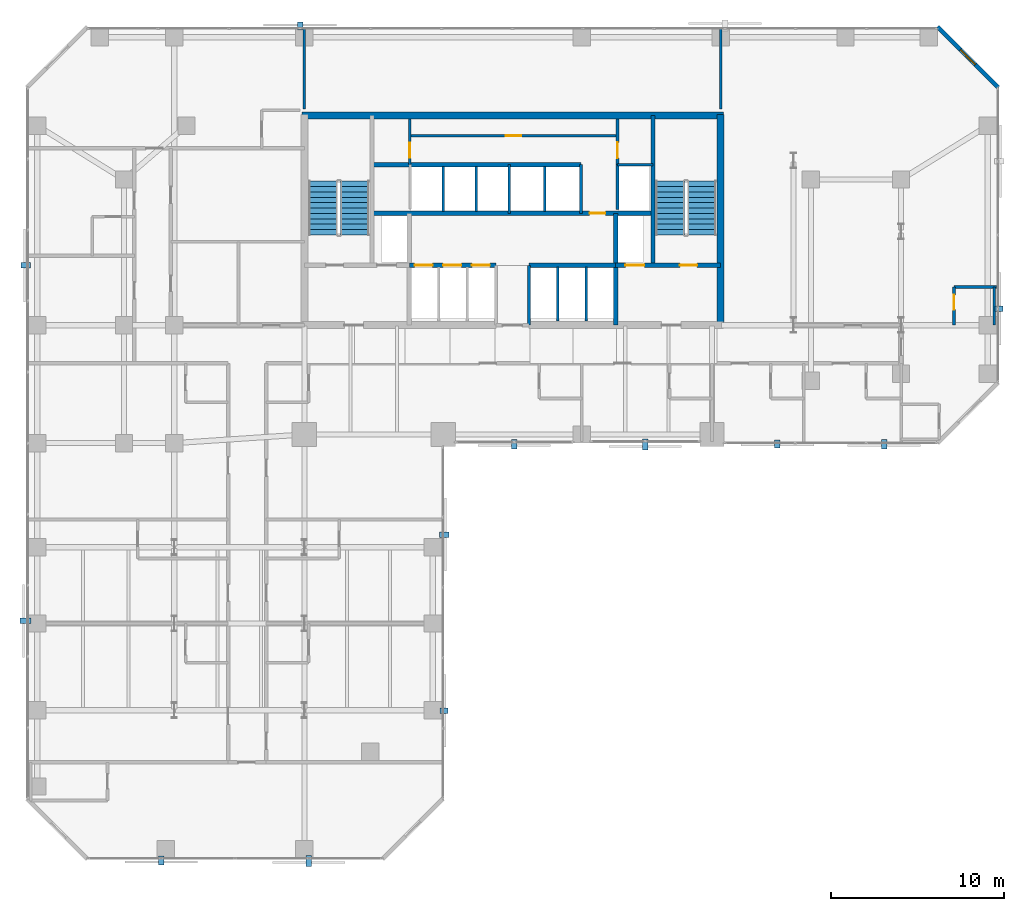
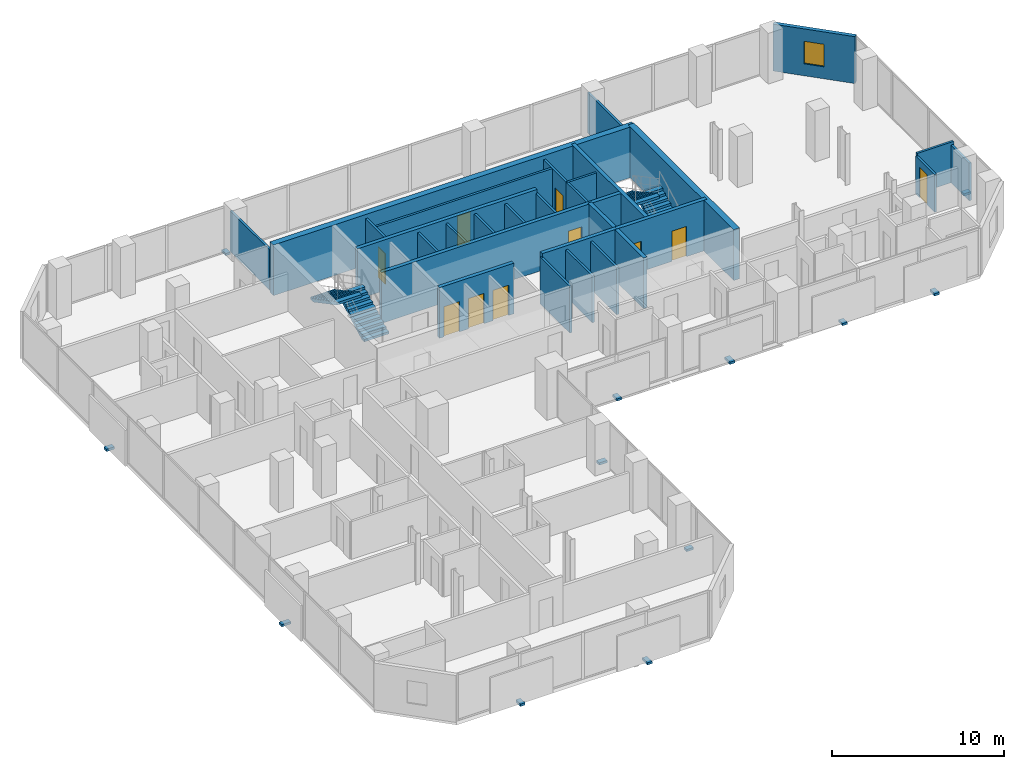
# One storey, part 29 of 32: 28 walls, 12 discrete accessories, 10 doors, 4 stair flights, 1 window, 11 openings, 2 elements without a shape of their own.
"""IFC4 building model written with IfcOpenShell, lengths in metres."""

from ifc_helpers import new_model, si_unit, direction, frame, frame_2d, origin, origin_2d, place, context, subcontext, project, spatial, polyline, rectangle, outline, extrude, material, layer, layer_set, type_object, element, fill, aggregate, save


model = new_model("IFC4")

# Units and contexts
model_context = context("Model", 3, precision=1e-05, world=origin(), true_north=direction((0.0, 1.0)))
body_context = subcontext(model_context, "Body", "Model", "MODEL_VIEW")
ifc_project = project(units=[si_unit("LENGTHUNIT", "METRE"), si_unit("AREAUNIT", "SQUARE_METRE"), si_unit("VOLUMEUNIT", "CUBIC_METRE"), si_unit("PLANEANGLEUNIT", "RADIAN"), si_unit("MASSUNIT", "GRAM", prefix="KILO")], contexts=[model_context])

# Site, building, storey
site_placement = place(None, origin())
site = spatial("IfcSite", under=ifc_project, at=site_placement, CompositionType="ELEMENT")
building_placement = place(site_placement, origin())
building = spatial("IfcBuilding", under=site, at=building_placement, Name="Catumbela Crestline Tower", CompositionType="ELEMENT")
storey_placement = place(building_placement, frame((0.0, 0.0, 33.0)))
storey = spatial("IfcBuildingStorey", under=building, at=storey_placement, Name="L07", CompositionType="ELEMENT", Elevation=33.0)

# Walls
ifc_material_1 = material(Name="Concrete C50/60", Category="concrete")
ifc_layer_1 = layer(ifc_material_1, 0.25, Name="Concrete C50/60")
ifc_layer_set_1 = layer_set([ifc_layer_1], Name="Concrete C50/60")
wall_type_1 = type_object("IfcWallType", Name="CW-250D", PredefinedType="SHEAR", material=ifc_layer_set_1)
wall_1_placement = place(storey_placement, frame((36.1, 34.25, 0.0), z_axis=(0.0, 0.0, 1.0), x_axis=(0.0, 1.0, 0.0)))
element("IfcWall", 1, at=wall_1_placement, inside=storey, type_object=wall_type_1, Name="L07 Structural Core Shear Wall EWEB", PredefinedType="SHEAR", context=body_context, shape_type="SweptSolid", body=[
    extrude(rectangle(XDim=8.65, YDim=0.25, at=frame_2d((4.325, 0.0))), origin(), (0.0, 0.0, 1.0), 3.6),
])
wall_2_placement = place(storey_placement, frame((33.95, 30.8, 0.0), z_axis=(0.0, 0.0, 1.0), x_axis=(0.0, 1.0, 0.0)))
element("IfcWall", 2, at=wall_2_placement, inside=storey, type_object=wall_type_1, Name="L07 Structural Core Shear Wall FFE", PredefinedType="SHEAR", context=body_context, shape_type="SweptSolid", body=[
    extrude(rectangle(XDim=6.45, YDim=0.25, at=frame_2d((3.225, 0.0))), origin(), (0.0, 0.0, 1.0), 3.6),
])

# Wall, openings, doors
wall_3_placement = place(storey_placement, frame((33.95, 34.25, 0.0), z_axis=(0.0, 0.0, 1.0), x_axis=(1.0, 0.0, 0.0)))
wall_3 = element("IfcWall", 3, at=wall_3_placement, inside=storey, type_object=wall_type_1, Name="L07 Structural Core Shear Wall ST2S", PredefinedType="SHEAR", context=body_context, shape_type="SweptSolid", body=[
    extrude(rectangle(XDim=6.05, YDim=0.25, at=frame_2d((3.025, 0.0))), origin(), (0.0, 0.0, 1.0), 3.6),
])
opening_1_placement = place(wall_3_placement, frame((3.7, 0.0, 0.0)))
opening_1 = element("IfcOpeningElement", 4, at=opening_1_placement, cuts=wall_3, Name="Opening DF9-100", PredefinedType="OPENING", context=body_context, shape_type="SweptSolid", body=[
    extrude(rectangle(XDim=1.0, YDim=2.15, at=frame_2d((0.5, 1.075))), frame((0.0, 0.135, 0.0), z_axis=(0.0, -1.0, 0.0), x_axis=(1.0, 0.0, 0.0)), (0.0, 0.0, 1.0), 0.27),
])
opening_2_placement = place(wall_3_placement, frame((0.55, 0.0, 0.0)))
opening_2 = element("IfcOpeningElement", 5, at=opening_2_placement, cuts=wall_3, Name="Opening LD-110", PredefinedType="OPENING", context=body_context, shape_type="SweptSolid", body=[
    extrude(rectangle(XDim=1.1, YDim=2.15, at=frame_2d((0.55, 1.075))), frame((0.0, 0.135, 0.0), z_axis=(0.0, -1.0, 0.0), x_axis=(1.0, 0.0, 0.0)), (0.0, 0.0, 1.0), 0.27),
])
ifc_material_2 = material(Name="Stainless steel EN 1.4401", Category="steel")
door_type_1 = type_object("IfcDoorType", Name="DF9-100", OperationType="NOTDEFINED", PredefinedType="DOOR", material=ifc_material_2)
door_1_placement = place(opening_1_placement, origin())
door_1 = element("IfcDoor", 6, at=door_1_placement, inside=storey, type_object=door_type_1, Name="L07 Interior Door DR-L07-ST02", OperationType="SINGLE_SWING_RIGHT", OverallHeight=2.15, OverallWidth=1.0, PredefinedType="DOOR", context=body_context, shape_type="SweptSolid", body=[
    extrude(rectangle(XDim=1.0, YDim=2.15, at=frame_2d((0.5, 1.075))), frame((0.0, 0.025, 0.0), z_axis=(0.0, -1.0, 0.0), x_axis=(1.0, 0.0, 0.0)), (0.0, 0.0, 1.0), 0.05),
])
fill(opening_1, door_1)
door_type_2 = type_object("IfcDoorType", Name="LD-110", OperationType="NOTDEFINED", PredefinedType="DOOR", material=ifc_material_2)
door_2_placement = place(opening_2_placement, origin())
door_2 = element("IfcDoor", 7, at=door_2_placement, inside=storey, type_object=door_type_2, Name="L07 Lift Landing Sliding Door FL-02", OperationType="DOUBLE_DOOR_SLIDING", OverallHeight=2.15, OverallWidth=1.1, PredefinedType="DOOR", context=body_context, shape_type="SweptSolid", body=[
    extrude(rectangle(XDim=1.1, YDim=2.15, at=frame_2d((0.55, 1.075))), frame((0.0, 0.025, 0.0), z_axis=(0.0, -1.0, 0.0), x_axis=(1.0, 0.0, 0.0)), (0.0, 0.0, 1.0), 0.05),
])
fill(opening_2, door_2)

wall_4_placement = place(storey_placement, frame((22.05, 34.25, 0.0), z_axis=(0.0, 0.0, 1.0), x_axis=(1.0, 0.0, 0.0)))
wall_4 = element("IfcWall", 8, at=wall_4_placement, inside=storey, type_object=wall_type_1, Name="L07 Structural Core Shear Wall LIFTS-W", PredefinedType="SHEAR", context=body_context, shape_type="SweptSolid", body=[
    extrude(rectangle(XDim=5.0, YDim=0.25, at=frame_2d((2.5, 0.0))), origin(), (0.0, 0.0, 1.0), 3.6),
])
opening_3_placement = place(wall_4_placement, frame((0.3, 0.0, 0.0)))
opening_3 = element("IfcOpeningElement", 9, at=opening_3_placement, cuts=wall_4, Name="Opening LD-105", PredefinedType="OPENING", context=body_context, shape_type="SweptSolid", body=[
    extrude(rectangle(XDim=1.05, YDim=2.15, at=frame_2d((0.525, 1.075))), frame((0.0, 0.135, 0.0), z_axis=(0.0, -1.0, 0.0), x_axis=(1.0, 0.0, 0.0)), (0.0, 0.0, 1.0), 0.27),
])
opening_4_placement = place(wall_4_placement, frame((1.95, 0.0, 0.0)))
opening_4 = element("IfcOpeningElement", 10, at=opening_4_placement, cuts=wall_4, Name="Opening LD-105", PredefinedType="OPENING", context=body_context, shape_type="SweptSolid", body=[
    extrude(rectangle(XDim=1.05, YDim=2.15, at=frame_2d((0.525, 1.075))), frame((0.0, 0.135, 0.0), z_axis=(0.0, -1.0, 0.0), x_axis=(1.0, 0.0, 0.0)), (0.0, 0.0, 1.0), 0.27),
])
opening_5_placement = place(wall_4_placement, frame((3.6, 0.0, 0.0)))
opening_5 = element("IfcOpeningElement", 11, at=opening_5_placement, cuts=wall_4, Name="Opening LD-105", PredefinedType="OPENING", context=body_context, shape_type="SweptSolid", body=[
    extrude(rectangle(XDim=1.05, YDim=2.15, at=frame_2d((0.525, 1.075))), frame((0.0, 0.135, 0.0), z_axis=(0.0, -1.0, 0.0), x_axis=(1.0, 0.0, 0.0)), (0.0, 0.0, 1.0), 0.27),
])
door_type_3 = type_object("IfcDoorType", Name="LD-105", OperationType="NOTDEFINED", PredefinedType="DOOR", material=ifc_material_2)
door_3_placement = place(opening_3_placement, origin())
door_3 = element("IfcDoor", 12, at=door_3_placement, inside=storey, type_object=door_type_3, Name="L07 Lift Landing Sliding Door PL-L1", OperationType="DOUBLE_DOOR_SLIDING", OverallHeight=2.15, OverallWidth=1.05, PredefinedType="DOOR", context=body_context, shape_type="SweptSolid", body=[
    extrude(rectangle(XDim=1.05, YDim=2.15, at=frame_2d((0.525, 1.075))), frame((0.0, 0.025, 0.0), z_axis=(0.0, -1.0, 0.0), x_axis=(1.0, 0.0, 0.0)), (0.0, 0.0, 1.0), 0.05),
])
fill(opening_3, door_3)
door_4_placement = place(opening_4_placement, origin())
door_4 = element("IfcDoor", 13, at=door_4_placement, inside=storey, type_object=door_type_3, Name="L07 Lift Landing Sliding Door PL-L2", OperationType="DOUBLE_DOOR_SLIDING", OverallHeight=2.15, OverallWidth=1.05, PredefinedType="DOOR", context=body_context, shape_type="SweptSolid", body=[
    extrude(rectangle(XDim=1.05, YDim=2.15, at=frame_2d((0.525, 1.075))), frame((0.0, 0.025, 0.0), z_axis=(0.0, -1.0, 0.0), x_axis=(1.0, 0.0, 0.0)), (0.0, 0.0, 1.0), 0.05),
])
fill(opening_4, door_4)
door_5_placement = place(opening_5_placement, origin())
door_5 = element("IfcDoor", 14, at=door_5_placement, inside=storey, type_object=door_type_3, Name="L07 Lift Landing Sliding Door PL-L3", OperationType="DOUBLE_DOOR_SLIDING", OverallHeight=2.15, OverallWidth=1.05, PredefinedType="DOOR", context=body_context, shape_type="SweptSolid", body=[
    extrude(rectangle(XDim=1.05, YDim=2.15, at=frame_2d((0.525, 1.075))), frame((0.0, 0.025, 0.0), z_axis=(0.0, -1.0, 0.0), x_axis=(1.0, 0.0, 0.0)), (0.0, 0.0, 1.0), 0.05),
])
fill(opening_5, door_5)

# Wall
wall_5_placement = place(storey_placement, frame((28.95, 34.25, 0.0), z_axis=(0.0, 0.0, 1.0), x_axis=(1.0, 0.0, 0.0)))
element("IfcWall", 15, at=wall_5_placement, inside=storey, type_object=wall_type_1, Name="L07 Structural Core Shear Wall LIFTS-E", PredefinedType="SHEAR", context=body_context, shape_type="SweptSolid", body=[
    extrude(rectangle(XDim=5.0, YDim=0.25, at=frame_2d((2.5, 0.0))), origin(), (0.0, 0.0, 1.0), 3.6),
])

# Wall, opening, door
wall_6_placement = place(storey_placement, frame((19.9, 37.25, 0.0), z_axis=(0.0, 0.0, 1.0), x_axis=(1.0, 0.0, 0.0)))
wall_6 = element("IfcWall", 16, at=wall_6_placement, inside=storey, type_object=wall_type_1, Name="L07 Structural Core Shear Wall LIFTN", PredefinedType="SHEAR", context=body_context, shape_type="SweptSolid", body=[
    extrude(rectangle(XDim=16.2, YDim=0.25, at=frame_2d((8.1, 0.0))), origin(), (0.0, 0.0, 1.0), 3.6),
])
opening_6_placement = place(wall_6_placement, frame((12.55, 0.0, 0.0)))
opening_6 = element("IfcOpeningElement", 17, at=opening_6_placement, cuts=wall_6, Name="Opening DF9-090", PredefinedType="OPENING", context=body_context, shape_type="SweptSolid", body=[
    extrude(rectangle(XDim=0.9, YDim=2.15, at=frame_2d((0.45, 1.075))), frame((0.0, 0.135, 0.0), z_axis=(0.0, -1.0, 0.0), x_axis=(1.0, 0.0, 0.0)), (0.0, 0.0, 1.0), 0.27),
])
door_type_4 = type_object("IfcDoorType", Name="DF9-090", OperationType="NOTDEFINED", PredefinedType="DOOR", material=ifc_material_2)
door_6_placement = place(opening_6_placement, origin())
door_6 = element("IfcDoor", 18, at=door_6_placement, inside=storey, type_object=door_type_4, Name="L07 Interior Door DR-L07-CPAS1", OperationType="SINGLE_SWING_LEFT", OverallHeight=2.15, OverallWidth=0.9, PredefinedType="DOOR", context=body_context, shape_type="SweptSolid", body=[
    extrude(rectangle(XDim=0.9, YDim=2.15, at=frame_2d((0.45, 1.075))), frame((0.0, 0.025, 0.0), z_axis=(0.0, -1.0, 0.0), x_axis=(1.0, 0.0, 0.0)), (0.0, 0.0, 1.0), 0.05),
])
fill(opening_6, door_6)

# Walls
wall_7_placement = place(storey_placement, frame((19.9, 40.05, 0.0), z_axis=(0.0, 0.0, 1.0), x_axis=(1.0, 0.0, 0.0)))
element("IfcWall", 19, at=wall_7_placement, inside=storey, type_object=wall_type_1, Name="L07 Structural Core Shear Wall COREN", PredefinedType="SHEAR", context=body_context, shape_type="SweptSolid", body=[
    extrude(rectangle(XDim=12.05, YDim=0.25, at=frame_2d((6.025, 0.0))), origin(), (0.0, 0.0, 1.0), 3.6),
])
ifc_material_3 = material(Name="Concrete C60/75", Category="concrete")
ifc_layer_2 = layer(ifc_material_3, 0.4, Name="Concrete C60/75")
ifc_layer_set_2 = layer_set([ifc_layer_2], Name="Concrete C60/75")
wall_type_2 = type_object("IfcWallType", Name="CW-400A", PredefinedType="SHEAR", material=ifc_layer_set_2)
wall_8_placement = place(storey_placement, frame((40.0, 30.65, 0.0), z_axis=(0.0, 0.0, 1.0), x_axis=(0.0, 1.0, 0.0)))
element("IfcWall", 20, at=wall_8_placement, inside=storey, type_object=wall_type_2, Name="L07 Structural Core Shear Wall E", PredefinedType="SHEAR", context=body_context, shape_type="SweptSolid", body=[
    extrude(rectangle(XDim=12.3, YDim=0.4, at=frame_2d((6.15, 0.0))), origin(), (0.0, 0.0, 1.0), 3.6),
])
wall_9_placement = place(storey_placement, frame((15.85, 42.9, 0.0), z_axis=(0.0, 0.0, 1.0), x_axis=(1.0, 0.0, 0.0)))
element("IfcWall", 21, at=wall_9_placement, inside=storey, type_object=wall_type_2, Name="L07 Structural Core Shear Wall N", PredefinedType="SHEAR", context=body_context, shape_type="SweptSolid", body=[
    extrude(rectangle(XDim=24.3, YDim=0.4, at=frame_2d((12.15, 0.0))), origin(), (0.0, 0.0, 1.0), 3.6),
])

# Wall, opening, window
ifc_material_4 = material(Name="Angolan grey-ochre granite", Category="masonry")
ifc_layer_3 = layer(ifc_material_4, 0.25, Name="Angolan grey-ochre granite")
ifc_layer_set_3 = layer_set([ifc_layer_3], Name="Angolan grey-ochre granite")
wall_type_3 = type_object("IfcWallType", Name="WE-250", PredefinedType="STANDARD", material=ifc_layer_set_3)
wall_10_placement = place(storey_placement, frame((56.0, 44.5, 0.0), z_axis=(0.0, 0.0, 1.0), x_axis=(-0.707106781187, 0.707106781187, 0.0)))
wall_10 = element("IfcWall", 22, at=wall_10_placement, inside=storey, type_object=wall_type_3, Name="L07 Granite Punched Window Wall 6-1", PredefinedType="STANDARD", context=body_context, shape_type="SweptSolid", body=[
    extrude(rectangle(XDim=4.9497, YDim=0.25, at=frame_2d((2.4748, 0.0))), origin(), (0.0, 0.0, 1.0), 3.33),
])
opening_7_placement = place(wall_10_placement, frame((1.8748, 0.0, 0.85)))
opening_7 = element("IfcOpeningElement", 23, at=opening_7_placement, cuts=wall_10, Name="Opening WN-02", PredefinedType="OPENING", context=body_context, shape_type="SweptSolid", body=[
    extrude(rectangle(XDim=1.2, YDim=1.6, at=frame_2d((0.6, 0.8))), frame((0.0, 0.135, 0.0), z_axis=(0.0, -1.0, 0.0), x_axis=(1.0, 0.0, 0.0)), (0.0, 0.0, 1.0), 0.27),
])
ifc_material_5 = material(Name="Low-E laminated solar-control double glazing", Category="glass")
window_type = type_object("IfcWindowType", Name="WO-1200", PartitioningType="SINGLE_PANEL", PredefinedType="WINDOW", material=ifc_material_5)
window_placement = place(opening_7_placement, origin())
window = element("IfcWindow", 24, at=window_placement, inside=storey, type_object=window_type, Name="L07 Facade Vision Window 60", OverallHeight=1.6, OverallWidth=1.2, PartitioningType="SINGLE_PANEL", PredefinedType="WINDOW", context=body_context, shape_type="SweptSolid", body=[
    extrude(rectangle(XDim=1.2, YDim=1.6, at=frame_2d((0.6, 0.8))), frame((0.0, 0.03, 0.0), z_axis=(0.0, -1.0, 0.0), x_axis=(1.0, 0.0, 0.0)), (0.0, 0.0, 1.0), 0.06),
])
fill(opening_7, window)

# Wall
ifc_material_6 = material(Name="Acoustic gypsum and mineral-wool partition")
ifc_layer_4 = layer(ifc_material_6, 0.15, Name="Acoustic gypsum and mineral-wool partition")
ifc_layer_set_4 = layer_set([ifc_layer_4], Name="Acoustic gypsum and mineral-wool partition")
wall_type_4 = type_object("IfcWallType", Name="WP-150", PredefinedType="PARTITIONING", material=ifc_layer_set_4)
wall_11_placement = place(storey_placement, frame((34.05, 40.05, 0.0), z_axis=(0.0, 0.0, 1.0), x_axis=(1.0, 0.0, 0.0)))
element("IfcWall", 25, at=wall_11_placement, inside=storey, type_object=wall_type_4, Name="L07 Interior Partition PW-L07-CR-ES", PredefinedType="PARTITIONING", context=body_context, shape_type="SweptSolid", body=[
    extrude(rectangle(XDim=2.05, YDim=0.15, at=frame_2d((1.025, 0.0))), origin(), (0.0, 0.0, 1.0), 3.33),
])

# Wall, opening, door
wall_12_placement = place(storey_placement, frame((34.05, 40.05, 0.0), z_axis=(0.0, 0.0, 1.0), x_axis=(0.0, 1.0, 0.0)))
wall_12 = element("IfcWall", 26, at=wall_12_placement, inside=storey, type_object=wall_type_4, Name="L07 Interior Partition PW-L07-CR-EW", PredefinedType="PARTITIONING", context=body_context, shape_type="SweptSolid", body=[
    extrude(rectangle(XDim=2.63, YDim=0.15, at=frame_2d((1.315, 0.0))), origin(), (0.0, 0.0, 1.0), 3.33),
])
opening_8_placement = place(wall_12_placement, frame((0.385, 0.0, 0.0)))
opening_8 = element("IfcOpeningElement", 27, at=opening_8_placement, cuts=wall_12, Name="Opening DF9-090", PredefinedType="OPENING", context=body_context, shape_type="SweptSolid", body=[
    extrude(rectangle(XDim=0.9, YDim=2.15, at=frame_2d((0.45, 1.075))), frame((0.0, 0.085, 0.0), z_axis=(0.0, -1.0, 0.0), x_axis=(1.0, 0.0, 0.0)), (0.0, 0.0, 1.0), 0.17),
])
door_7_placement = place(opening_8_placement, origin())
door_7 = element("IfcDoor", 28, at=door_7_placement, inside=storey, type_object=door_type_4, Name="L07 Interior Door DR-L07-CREAST", OperationType="SINGLE_SWING_RIGHT", OverallHeight=2.15, OverallWidth=0.9, PredefinedType="DOOR", context=body_context, shape_type="SweptSolid", body=[
    extrude(rectangle(XDim=0.9, YDim=2.15, at=frame_2d((0.45, 1.075))), frame((0.0, 0.025, 0.0), z_axis=(0.0, -1.0, 0.0), x_axis=(1.0, 0.0, 0.0)), (0.0, 0.0, 1.0), 0.05),
])
fill(opening_8, door_7)

wall_13_placement = place(storey_placement, frame((22.08, 40.05, 0.0), z_axis=(0.0, 0.0, 1.0), x_axis=(0.0, 1.0, 0.0)))
wall_13 = element("IfcWall", 29, at=wall_13_placement, inside=storey, type_object=wall_type_4, Name="L07 Interior Partition PW-L07-CR-WCW", PredefinedType="PARTITIONING", context=body_context, shape_type="SweptSolid", body=[
    extrude(rectangle(XDim=2.63, YDim=0.15, at=frame_2d((1.315, 0.0))), origin(), (0.0, 0.0, 1.0), 3.33),
])
opening_9_placement = place(wall_13_placement, frame((0.41, 0.0, 0.0)))
opening_9 = element("IfcOpeningElement", 30, at=opening_9_placement, cuts=wall_13, Name="Opening DI-085", PredefinedType="OPENING", context=body_context, shape_type="SweptSolid", body=[
    extrude(rectangle(XDim=0.85, YDim=2.15, at=frame_2d((0.425, 1.075))), frame((0.0, 0.085, 0.0), z_axis=(0.0, -1.0, 0.0), x_axis=(1.0, 0.0, 0.0)), (0.0, 0.0, 1.0), 0.17),
])
ifc_material_7 = material(Name="Aluminium alloy AW-6060-T66", Category="aluminium")
door_type_5 = type_object("IfcDoorType", Name="DI-085", OperationType="NOTDEFINED", PredefinedType="DOOR", material=ifc_material_7)
door_8_placement = place(opening_9_placement, origin())
door_8 = element("IfcDoor", 31, at=door_8_placement, inside=storey, type_object=door_type_5, Name="L07 Interior Door DR-L07-CRWC", OperationType="SINGLE_SWING_LEFT", OverallHeight=2.15, OverallWidth=0.85, PredefinedType="DOOR", context=body_context, shape_type="SweptSolid", body=[
    extrude(rectangle(XDim=0.85, YDim=2.15, at=frame_2d((0.425, 1.075))), frame((0.0, 0.025, 0.0), z_axis=(0.0, -1.0, 0.0), x_axis=(1.0, 0.0, 0.0)), (0.0, 0.0, 1.0), 0.05),
])
fill(opening_9, door_8)

wall_14_placement = place(storey_placement, frame((22.08, 41.72, 0.0), z_axis=(0.0, 0.0, 1.0), x_axis=(1.0, 0.0, 0.0)))
wall_14 = element("IfcWall", 32, at=wall_14_placement, inside=storey, type_object=wall_type_4, Name="L07 Interior Partition PW-L07-CR-MID", PredefinedType="PARTITIONING", context=body_context, shape_type="SweptSolid", body=[
    extrude(rectangle(XDim=11.97, YDim=0.15, at=frame_2d((5.985, 0.0))), origin(), (0.0, 0.0, 1.0), 3.33),
])
opening_10_placement = place(wall_14_placement, frame((5.535, 0.0, 0.0)))
opening_10 = element("IfcOpeningElement", 33, at=opening_10_placement, cuts=wall_14, Name="Opening DF9-090", PredefinedType="OPENING", context=body_context, shape_type="SweptSolid", body=[
    extrude(rectangle(XDim=0.9, YDim=2.15, at=frame_2d((0.45, 1.075))), frame((0.0, 0.085, 0.0), z_axis=(0.0, -1.0, 0.0), x_axis=(1.0, 0.0, 0.0)), (0.0, 0.0, 1.0), 0.17),
])
door_9_placement = place(opening_10_placement, origin())
door_9 = element("IfcDoor", 34, at=door_9_placement, inside=storey, type_object=door_type_4, Name="L07 Interior Door DR-L07-CRMID", OperationType="SINGLE_SWING_LEFT", OverallHeight=2.15, OverallWidth=0.9, PredefinedType="DOOR", context=body_context, shape_type="SweptSolid", body=[
    extrude(rectangle(XDim=0.9, YDim=2.15, at=frame_2d((0.45, 1.075))), frame((0.0, 0.025, 0.0), z_axis=(0.0, -1.0, 0.0), x_axis=(1.0, 0.0, 0.0)), (0.0, 0.0, 1.0), 0.05),
])
fill(opening_10, door_9)

# Walls
for number, where, z_axis, x_axis, name in (
    (35, (16.0, 43.27, 0.0), (0.0, 0.0, 1.0), (0.0, 1.0, 0.0), "L07 Interior Partition PW-L07-NCF-W"),
    (36, (40.0, 43.27, 0.0), (0.0, 0.0, 1.0), (0.0, 1.0, 0.0), "L07 Interior Partition PW-L07-NCF-E"),
):
    element("IfcWall", number, at=place(storey_placement, frame(where, z_axis=z_axis, x_axis=x_axis)), inside=storey, type_object=wall_type_4, Name=name, PredefinedType="PARTITIONING", context=body_context, shape_type="SweptSolid", body=[
        extrude(rectangle(XDim=4.63, YDim=0.15, at=frame_2d((2.315, 0.0))), origin(), (0.0, 0.0, 1.0), 2.87),
    ])
wall_15_placement = place(storey_placement, frame((53.45, 33.0, 0.0), z_axis=(0.0, 0.0, 1.0), x_axis=(1.0, 0.0, 0.0)))
element("IfcWall", 37, at=wall_15_placement, inside=storey, type_object=wall_type_4, Name="L07 Interior Partition PW-L07-NES-BHW", PredefinedType="PARTITIONING", context=body_context, shape_type="SweptSolid", body=[
    extrude(rectangle(XDim=2.45, YDim=0.15, at=frame_2d((1.225, 0.0))), origin(), (0.0, 0.0, 1.0), 2.87),
])

# Wall, opening, door
wall_16_placement = place(storey_placement, frame((53.45, 30.8, 0.0), z_axis=(0.0, 0.0, 1.0), x_axis=(0.0, 1.0, 0.0)))
wall_16 = element("IfcWall", 38, at=wall_16_placement, inside=storey, type_object=wall_type_4, Name="L07 Interior Partition PW-L07-NES-BWW", PredefinedType="PARTITIONING", context=body_context, shape_type="SweptSolid", body=[
    extrude(rectangle(XDim=2.2, YDim=0.15, at=frame_2d((1.1, 0.0))), origin(), (0.0, 0.0, 1.0), 2.68),
])
opening_11_placement = place(wall_16_placement, frame((0.8925, 0.0, 0.0)))
opening_11 = element("IfcOpeningElement", 39, at=opening_11_placement, cuts=wall_16, Name="Opening DI-085", PredefinedType="OPENING", context=body_context, shape_type="SweptSolid", body=[
    extrude(rectangle(XDim=0.85, YDim=2.15, at=frame_2d((0.425, 1.075))), frame((0.0, 0.085, 0.0), z_axis=(0.0, -1.0, 0.0), x_axis=(1.0, 0.0, 0.0)), (0.0, 0.0, 1.0), 0.17),
])
door_10_placement = place(opening_11_placement, origin())
door_10 = element("IfcDoor", 40, at=door_10_placement, inside=storey, type_object=door_type_5, Name="L07 Interior Door DR-L07-NES-BTH", OperationType="SINGLE_SWING_RIGHT", OverallHeight=2.15, OverallWidth=0.85, PredefinedType="DOOR", context=body_context, shape_type="SweptSolid", body=[
    extrude(rectangle(XDim=0.85, YDim=2.15, at=frame_2d((0.425, 1.075))), frame((0.0, 0.025, 0.0), z_axis=(0.0, -1.0, 0.0), x_axis=(1.0, 0.0, 0.0)), (0.0, 0.0, 1.0), 0.05),
])
fill(opening_11, door_10)

# Walls
wall_17_placement = place(storey_placement, frame((55.78, 33.0, 0.0), z_axis=(0.0, 0.0, 1.0), x_axis=(0.0, -1.0, 0.0)))
element("IfcWall", 41, at=wall_17_placement, inside=storey, type_object=wall_type_4, Name="L07 Interior Partition PW-L07-NES-BCL-2", PredefinedType="PARTITIONING", context=body_context, shape_type="SweptSolid", body=[
    extrude(rectangle(XDim=2.2, YDim=0.15, at=frame_2d((1.1, 0.0))), origin(), (0.0, 0.0, 1.0), 2.68),
])
ifc_layer_5 = layer(ifc_material_6, 0.15, Name="Acoustic gypsum and mineral-wool partition")
ifc_layer_set_5 = layer_set([ifc_layer_5], Name="Acoustic gypsum and mineral-wool partition")
wall_type_5 = type_object("IfcWallType", Name="WS-150", PredefinedType="PLUMBINGWALL", material=ifc_layer_set_5)
wall_18_placement = place(storey_placement, frame((28.95, 30.8, 0.0), z_axis=(0.0, 0.0, 1.0), x_axis=(0.0, 1.0, 0.0)))
element("IfcWall", 42, at=wall_18_placement, inside=storey, type_object=wall_type_5, Name="L07 Interior Partition PW-L07-THRE", PredefinedType="PLUMBINGWALL", context=body_context, shape_type="SweptSolid", body=[
    extrude(rectangle(XDim=3.45, YDim=0.15, at=frame_2d((1.725, 0.0))), origin(), (0.0, 0.0, 1.0), 3.33),
])
for number, where, z_axis, x_axis, name in (
    (43, (30.6, 31.05, 0.0), (0.0, 0.0, 1.0), (0.0, 1.0, 0.0), "L07 Interior Partition PW-L07-SHM1"),
    (44, (32.25, 31.05, 0.0), (0.0, 0.0, 1.0), (0.0, 1.0, 0.0), "L07 Interior Partition PW-L07-SHM2"),
):
    element("IfcWall", number, at=place(storey_placement, frame(where, z_axis=z_axis, x_axis=x_axis)), inside=storey, type_object=wall_type_5, Name=name, PredefinedType="PLUMBINGWALL", context=body_context, shape_type="SweptSolid", body=[
        extrude(rectangle(XDim=3.1, YDim=0.15, at=frame_2d((1.55, 0.0))), origin(), (0.0, 0.0, 1.0), 3.33),
    ])
wall_19_placement = place(storey_placement, frame((27.8, 37.25, 0.0), z_axis=(0.0, 0.0, 1.0), x_axis=(0.0, 1.0, 0.0)))
element("IfcWall", 45, at=wall_19_placement, inside=storey, type_object=wall_type_5, Name="L07 Interior Partition PW-L07-SHH3", PredefinedType="PLUMBINGWALL", context=body_context, shape_type="SweptSolid", body=[
    extrude(rectangle(XDim=2.8, YDim=0.15, at=frame_2d((1.4, 0.0))), origin(), (0.0, 0.0, 1.0), 3.33),
])
for number, where, z_axis, x_axis, name in (
    (46, (24.0, 37.35, 0.0), (0.0, 0.0, 1.0), (0.0, 1.0, 0.0), "L07 Interior Partition PW-L07-SHH1"),
    (47, (25.9, 37.35, 0.0), (0.0, 0.0, 1.0), (0.0, 1.0, 0.0), "L07 Interior Partition PW-L07-SHH2"),
):
    element("IfcWall", number, at=place(storey_placement, frame(where, z_axis=z_axis, x_axis=x_axis)), inside=storey, type_object=wall_type_5, Name=name, PredefinedType="PLUMBINGWALL", context=body_context, shape_type="SweptSolid", body=[
        extrude(rectangle(XDim=2.6, YDim=0.15, at=frame_2d((1.3, 0.0))), origin(), (0.0, 0.0, 1.0), 3.33),
    ])
wall_20_placement = place(storey_placement, frame((31.95, 37.25, 0.0), z_axis=(0.0, 0.0, 1.0), x_axis=(0.0, 1.0, 0.0)))
element("IfcWall", 48, at=wall_20_placement, inside=storey, type_object=wall_type_5, Name="L07 Interior Partition PW-L07-SHEX2E", PredefinedType="PLUMBINGWALL", context=body_context, shape_type="SweptSolid", body=[
    extrude(rectangle(XDim=2.8, YDim=0.15, at=frame_2d((1.4, 0.0))), origin(), (0.0, 0.0, 1.0), 3.33),
])
wall_21_placement = place(storey_placement, frame((29.85, 37.35, 0.0), z_axis=(0.0, 0.0, 1.0), x_axis=(0.0, 1.0, 0.0)))
element("IfcWall", 49, at=wall_21_placement, inside=storey, type_object=wall_type_5, Name="L07 Interior Partition PW-L07-SHEX1", PredefinedType="PLUMBINGWALL", context=body_context, shape_type="SweptSolid", body=[
    extrude(rectangle(XDim=2.6, YDim=0.15, at=frame_2d((1.3, 0.0))), origin(), (0.0, 0.0, 1.0), 3.33),
])
wall_22_placement = place(storey_placement, frame((34.05, 37.4734, 0.0), z_axis=(0.0, 0.0, 1.0), x_axis=(0.0, 1.0, 0.0)))
element("IfcWall", 50, at=wall_22_placement, inside=storey, type_object=wall_type_5, Name="L07 Interior Partition PW-L07-RISW", PredefinedType="PLUMBINGWALL", context=body_context, shape_type="SweptSolid", body=[
    extrude(rectangle(XDim=2.5766, YDim=0.15, at=frame_2d((1.2883, 0.0))), origin(), (0.0, 0.0, 1.0), 3.33),
])

# Stair, stair flights
ifc_material_8 = material(Name="Concrete C45/55", Category="concrete")
stair_type = type_object("IfcStairType", Name="ST-DLG", PredefinedType="HALF_TURN_STAIR", material=ifc_material_8)
stair_1_placement = place(storey_placement, origin())
stair_1 = element("IfcStair", 51, at=stair_1_placement, inside=storey, type_object=stair_type, Name="L07 West Core Pressurised Exit Stair ST-01", PredefinedType="HALF_TURN_STAIR")
stair_flight_type = type_object("IfcStairFlightType", Name="SF-1636", PredefinedType="STRAIGHT", material=ifc_material_8)
stair_flight_1_placement = place(storey_placement, frame((18.92, 36.0, 0.0), z_axis=(0.0, 0.0, 1.0), x_axis=(0.0, 1.0, 0.0)))
stair_flight_1 = element("IfcStairFlight", 52, at=stair_flight_1_placement, type_object=stair_flight_type, Name="ST-01 flight 1", NumberOfRisers=11, NumberOfTreads=10, PredefinedType="STRAIGHT", RiserHeight=0.163636364, TreadLength=0.31, context=body_context, shape_type="SweptSolid", body=[
    extrude(outline(polyline([(0.0, 0.0), (0.0, 0.1636), (0.31, 0.1636), (0.31, 0.3273), (0.62, 0.3273), (0.62, 0.4909), (0.93, 0.4909), (0.93, 0.6545), (1.24, 0.6545), (1.24, 0.8182), (1.55, 0.8182), (1.55, 0.9818), (1.86, 0.9818), (1.86, 1.1455), (2.17, 1.1455), (2.17, 1.3091), (2.48, 1.3091), (2.48, 1.4727), (2.79, 1.4727), (2.79, 1.6364), (3.1, 1.6364), (3.1, 1.8), (3.1, 1.4554), (0.3427, 0.0), (0.0, 0.0)])), frame((0.0, 0.83, 0.0), z_axis=(0.0, -1.0, 0.0), x_axis=(1.0, 0.0, 0.0)), (0.0, 0.0, 1.0), 1.66),
])
stair_flight_2_placement = place(storey_placement, frame((17.08, 39.1, 1.8), z_axis=(0.0, 0.0, 1.0), x_axis=(0.0, -1.0, 0.0)))
stair_flight_2 = element("IfcStairFlight", 53, at=stair_flight_2_placement, type_object=stair_flight_type, Name="ST-01 flight 2", NumberOfRisers=11, NumberOfTreads=10, PredefinedType="STRAIGHT", RiserHeight=0.163636364, TreadLength=0.31, context=body_context, shape_type="SweptSolid", body=[
    extrude(outline(polyline([(0.0, 0.0), (0.0, 0.1636), (0.31, 0.1636), (0.31, 0.3273), (0.62, 0.3273), (0.62, 0.4909), (0.93, 0.4909), (0.93, 0.6545), (1.24, 0.6545), (1.24, 0.8182), (1.55, 0.8182), (1.55, 0.9818), (1.86, 0.9818), (1.86, 1.1455), (2.17, 1.1455), (2.17, 1.3091), (2.48, 1.3091), (2.48, 1.4727), (2.79, 1.4727), (2.79, 1.6364), (3.1, 1.6364), (3.1, 1.8), (3.1, 1.4554), (0.3427, 0.0), (0.0, 0.0)])), frame((0.0, 0.83, 0.0), z_axis=(0.0, -1.0, 0.0), x_axis=(1.0, 0.0, 0.0)), (0.0, 0.0, 1.0), 1.66),
])
aggregate(stair_1, [stair_flight_1, stair_flight_2])

stair_2_placement = place(storey_placement, origin())
stair_2 = element("IfcStair", 54, at=stair_2_placement, inside=storey, type_object=stair_type, Name="L07 East Core Pressurised Exit Stair ST-02", PredefinedType="HALF_TURN_STAIR")
stair_flight_3_placement = place(storey_placement, frame((38.92, 36.0, 0.0), z_axis=(0.0, 0.0, 1.0), x_axis=(0.0, 1.0, 0.0)))
stair_flight_3 = element("IfcStairFlight", 55, at=stair_flight_3_placement, type_object=stair_flight_type, Name="ST-02 flight 1", NumberOfRisers=11, NumberOfTreads=10, PredefinedType="STRAIGHT", RiserHeight=0.163636364, TreadLength=0.31, context=body_context, shape_type="SweptSolid", body=[
    extrude(outline(polyline([(0.0, 0.0), (0.0, 0.1636), (0.31, 0.1636), (0.31, 0.3273), (0.62, 0.3273), (0.62, 0.4909), (0.93, 0.4909), (0.93, 0.6545), (1.24, 0.6545), (1.24, 0.8182), (1.55, 0.8182), (1.55, 0.9818), (1.86, 0.9818), (1.86, 1.1455), (2.17, 1.1455), (2.17, 1.3091), (2.48, 1.3091), (2.48, 1.4727), (2.79, 1.4727), (2.79, 1.6364), (3.1, 1.6364), (3.1, 1.8), (3.1, 1.4554), (0.3427, 0.0), (0.0, 0.0)])), frame((0.0, 0.83, 0.0), z_axis=(0.0, -1.0, 0.0), x_axis=(1.0, 0.0, 0.0)), (0.0, 0.0, 1.0), 1.66),
])
stair_flight_4_placement = place(storey_placement, frame((37.08, 39.1, 1.8), z_axis=(0.0, 0.0, 1.0), x_axis=(0.0, -1.0, 0.0)))
stair_flight_4 = element("IfcStairFlight", 56, at=stair_flight_4_placement, type_object=stair_flight_type, Name="ST-02 flight 2", NumberOfRisers=11, NumberOfTreads=10, PredefinedType="STRAIGHT", RiserHeight=0.163636364, TreadLength=0.31, context=body_context, shape_type="SweptSolid", body=[
    extrude(outline(polyline([(0.0, 0.0), (0.0, 0.1636), (0.31, 0.1636), (0.31, 0.3273), (0.62, 0.3273), (0.62, 0.4909), (0.93, 0.4909), (0.93, 0.6545), (1.24, 0.6545), (1.24, 0.8182), (1.55, 0.8182), (1.55, 0.9818), (1.86, 0.9818), (1.86, 1.1455), (2.17, 1.1455), (2.17, 1.3091), (2.48, 1.3091), (2.48, 1.4727), (2.79, 1.4727), (2.79, 1.6364), (3.1, 1.6364), (3.1, 1.8), (3.1, 1.4554), (0.3427, 0.0), (0.0, 0.0)])), frame((0.0, 0.83, 0.0), z_axis=(0.0, -1.0, 0.0), x_axis=(1.0, 0.0, 0.0)), (0.0, 0.0, 1.0), 1.66),
])
aggregate(stair_2, [stair_flight_3, stair_flight_4])

# Discrete accessories
discrete_accessory_type = type_object("IfcDiscreteAccessoryType", Name="BK-SS1", PredefinedType="BRACKET", material=ifc_material_2)
discrete_accessory_1_placement = place(storey_placement, frame((7.75, -0.065, -0.18), z_axis=(0.0, 0.0, 1.0), x_axis=(1.0, 0.0, 0.0)))
element("IfcDiscreteAccessory", 57, at=discrete_accessory_1_placement, inside=storey, type_object=discrete_accessory_type, Name="L07 Solar Screen Stainless Bracket 29", PredefinedType="BRACKET", context=body_context, shape_type="SweptSolid", body=[
    extrude(rectangle(XDim=0.32, YDim=0.54, at=origin_2d()), origin(), (0.0, 0.0, 1.0), 0.16),
])
discrete_accessory_2_placement = place(storey_placement, frame((16.25, -0.085, -0.18), z_axis=(0.0, 0.0, 1.0), x_axis=(1.0, 0.0, 0.0)))
element("IfcDiscreteAccessory", 58, at=discrete_accessory_2_placement, inside=storey, type_object=discrete_accessory_type, Name="L07 Solar Screen Stainless Bracket 30", PredefinedType="BRACKET", context=body_context, shape_type="SweptSolid", body=[
    extrude(rectangle(XDim=0.32, YDim=0.62, at=origin_2d()), origin(), (0.0, 0.0, 1.0), 0.16),
])
discrete_accessory_3_placement = place(storey_placement, frame((24.045, 8.575, -0.18), z_axis=(0.0, 0.0, 1.0), x_axis=(0.0, 1.0, 0.0)))
element("IfcDiscreteAccessory", 59, at=discrete_accessory_3_placement, inside=storey, type_object=discrete_accessory_type, Name="L07 Solar Screen Stainless Bracket 31", PredefinedType="BRACKET", context=body_context, shape_type="SweptSolid", body=[
    extrude(rectangle(XDim=0.32, YDim=0.46, at=origin_2d()), origin(), (0.0, 0.0, 1.0), 0.16),
])
for number, where, z_axis, x_axis, name in (
    (60, (24.065, 18.725, -0.18), (0.0, 0.0, 1.0), (0.0, 1.0, 0.0), "L07 Solar Screen Stainless Bracket 32"),
    (61, (28.1, 23.935, -0.18), (0.0, 0.0, 1.0), (1.0, 0.0, 0.0), "L07 Solar Screen Stainless Bracket 33"),
):
    element("IfcDiscreteAccessory", number, at=place(storey_placement, frame(where, z_axis=z_axis, x_axis=x_axis)), inside=storey, type_object=discrete_accessory_type, Name=name, PredefinedType="BRACKET", context=body_context, shape_type="SweptSolid", body=[
        extrude(rectangle(XDim=0.32, YDim=0.54, at=origin_2d()), origin(), (0.0, 0.0, 1.0), 0.16),
    ])
discrete_accessory_4_placement = place(storey_placement, frame((35.65, 23.915, -0.18), z_axis=(0.0, 0.0, 1.0), x_axis=(1.0, 0.0, 0.0)))
element("IfcDiscreteAccessory", 62, at=discrete_accessory_4_placement, inside=storey, type_object=discrete_accessory_type, Name="L07 Solar Screen Stainless Bracket 34", PredefinedType="BRACKET", context=body_context, shape_type="SweptSolid", body=[
    extrude(rectangle(XDim=0.32, YDim=0.62, at=origin_2d()), origin(), (0.0, 0.0, 1.0), 0.16),
])
discrete_accessory_5_placement = place(storey_placement, frame((43.275, 23.955, -0.18), z_axis=(0.0, 0.0, 1.0), x_axis=(1.0, 0.0, 0.0)))
element("IfcDiscreteAccessory", 63, at=discrete_accessory_5_placement, inside=storey, type_object=discrete_accessory_type, Name="L07 Solar Screen Stainless Bracket 35", PredefinedType="BRACKET", context=body_context, shape_type="SweptSolid", body=[
    extrude(rectangle(XDim=0.32, YDim=0.46, at=origin_2d()), origin(), (0.0, 0.0, 1.0), 0.16),
])
discrete_accessory_6_placement = place(storey_placement, frame((49.425, 23.935, -0.18), z_axis=(0.0, 0.0, 1.0), x_axis=(1.0, 0.0, 0.0)))
element("IfcDiscreteAccessory", 64, at=discrete_accessory_6_placement, inside=storey, type_object=discrete_accessory_type, Name="L07 Solar Screen Stainless Bracket 36", PredefinedType="BRACKET", context=body_context, shape_type="SweptSolid", body=[
    extrude(rectangle(XDim=0.32, YDim=0.54, at=origin_2d()), origin(), (0.0, 0.0, 1.0), 0.16),
])
for number, where, z_axis, x_axis, name in (
    (65, (56.045, 31.75, -0.18), (0.0, 0.0, 1.0), (0.0, 1.0, 0.0), "L07 Solar Screen Stainless Bracket 37"),
    (66, (15.75, 48.045, -0.18), (0.0, 0.0, 1.0), (-1.0, 0.0, 0.0), "L07 Solar Screen Stainless Bracket 40"),
):
    element("IfcDiscreteAccessory", number, at=place(storey_placement, frame(where, z_axis=z_axis, x_axis=x_axis)), inside=storey, type_object=discrete_accessory_type, Name=name, PredefinedType="BRACKET", context=body_context, shape_type="SweptSolid", body=[
        extrude(rectangle(XDim=0.32, YDim=0.46, at=origin_2d()), origin(), (0.0, 0.0, 1.0), 0.16),
    ])
discrete_accessory_7_placement = place(storey_placement, frame((-0.065, 34.25, -0.18), z_axis=(0.0, 0.0, 1.0), x_axis=(0.0, -1.0, 0.0)))
element("IfcDiscreteAccessory", 67, at=discrete_accessory_7_placement, inside=storey, type_object=discrete_accessory_type, Name="L07 Solar Screen Stainless Bracket 41", PredefinedType="BRACKET", context=body_context, shape_type="SweptSolid", body=[
    extrude(rectangle(XDim=0.32, YDim=0.54, at=origin_2d()), origin(), (0.0, 0.0, 1.0), 0.16),
])
discrete_accessory_8_placement = place(storey_placement, frame((-0.085, 13.75, -0.18), z_axis=(0.0, 0.0, 1.0), x_axis=(0.0, -1.0, 0.0)))
element("IfcDiscreteAccessory", 68, at=discrete_accessory_8_placement, inside=storey, type_object=discrete_accessory_type, Name="L07 Solar Screen Stainless Bracket 42", PredefinedType="BRACKET", context=body_context, shape_type="SweptSolid", body=[
    extrude(rectangle(XDim=0.32, YDim=0.62, at=origin_2d()), origin(), (0.0, 0.0, 1.0), 0.16),
])

save(model, "model.ifc")
